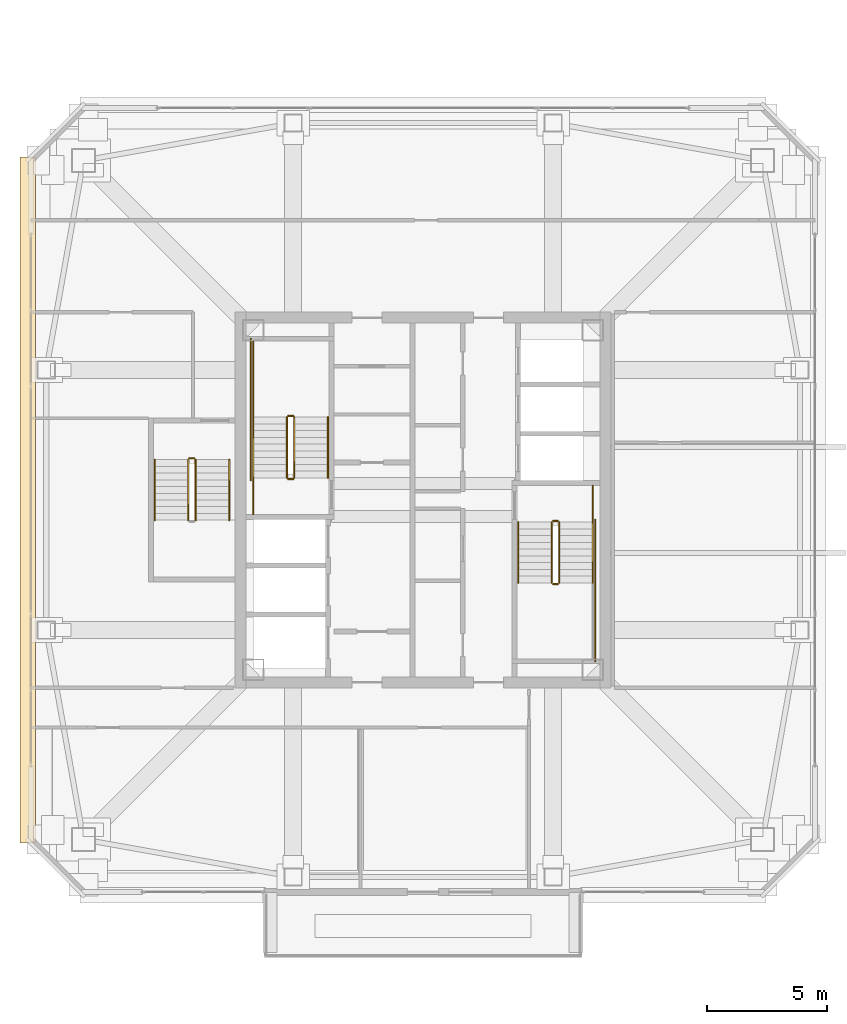
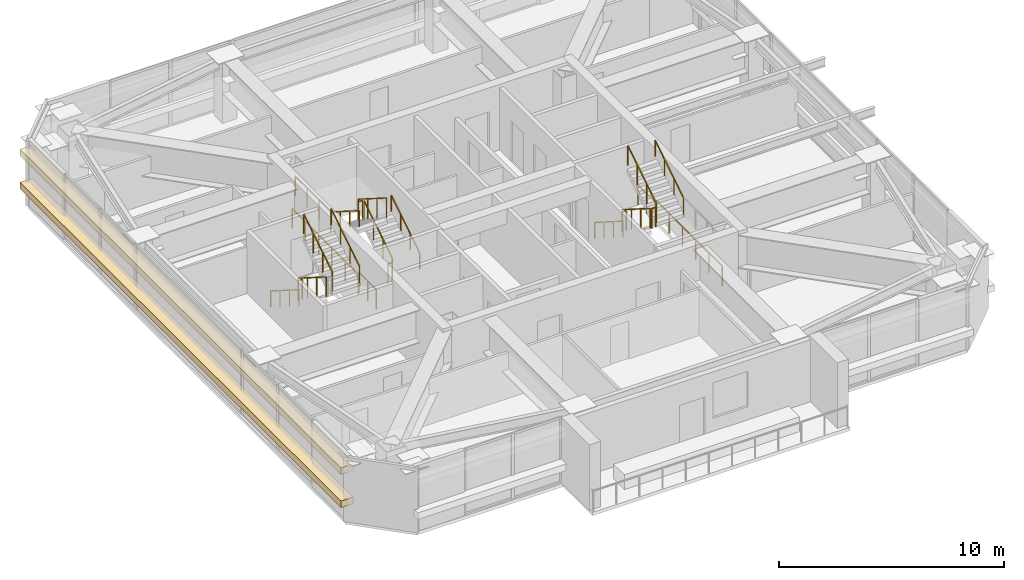
# One storey, part 36 of 40: 22 railings, 2 coverings.
"""IFC4 building model written with IfcOpenShell, lengths in metres."""

from ifc_helpers import new_model, si_unit, direction, frame, origin, origin_2d, place, context, subcontext, project, spatial, rectangle, extrude, material, layer, layer_set, type_object, element, save


model = new_model("IFC4")

# Units and contexts
model_context = context("Model", 3, precision=1e-05, world=origin(), true_north=direction((0.0, 1.0)))
body_context = subcontext(model_context, "Body", "Model", "MODEL_VIEW")
ifc_project = project(units=[si_unit("LENGTHUNIT", "METRE"), si_unit("AREAUNIT", "SQUARE_METRE"), si_unit("VOLUMEUNIT", "CUBIC_METRE"), si_unit("PLANEANGLEUNIT", "RADIAN"), si_unit("MASSUNIT", "GRAM", prefix="KILO")], contexts=[model_context])

# Site, building, storey
site_placement = place(None, origin())
site = spatial("IfcSite", under=ifc_project, at=site_placement, CompositionType="ELEMENT")
building_placement = place(site_placement, origin())
building = spatial("IfcBuilding", under=site, at=building_placement, Name="Tashvorn Skyway Center", CompositionType="ELEMENT")
storey_placement = place(building_placement, frame((0.0, 0.0, 229.050048828125)))
storey = spatial("IfcBuildingStorey", under=building, at=storey_placement, Name="L62", CompositionType="ELEMENT", Elevation=229.050048828125)

# Coverings
ifc_material_1 = material(Name="Perforated ceramic-coated bronze aluminium solar screen", Category="aluminium")
ifc_layer = layer(ifc_material_1, 0.85009765625)
ifc_layer_set = layer_set([ifc_layer], Name="Perforated ceramic-coated bronze aluminium solar screen")
covering_type = type_object("IfcCoveringType", Name="COV-SOLAR-BAND", PredefinedType="CLADDING", material=ifc_layer_set)
for number, where, z_axis, x_axis, name in (
    (1, (25.580078125, 32.0, 0.919921875), (0.0, 0.0, 1.0), (0.0, 1.0, 0.0), "L62 Perforated Ceramic-Metal Solar Screen Louvre Band West 1"),
    (2, (25.580078125, 32.0, 2.7197265625), (0.0, 0.0, 1.0), (0.0, 1.0, 0.0), "L62 Perforated Ceramic-Metal Solar Screen Louvre Band West 2"),
):
    element("IfcCovering", number, at=place(storey_placement, frame(where, z_axis=z_axis, x_axis=x_axis)), inside=storey, type_object=covering_type, Name=name, PredefinedType="CLADDING", context=body_context, shape_type="SweptSolid", body=[
        extrude(rectangle(XDim=28.47998046875, YDim=0.639892578125, at=origin_2d()), origin(), (0.0, 0.0, 1.0), 0.360107421875),
    ])

# Railings
ifc_material_2 = material(Name="Brushed stainless steel 316", Category="steel")
railing_type_1 = type_object("IfcRailingType", Name="RAIL-HAND-920", PredefinedType="HANDRAIL", material=ifc_material_2)
railing_1_placement = place(storey_placement, frame((38.050048828125, 32.919921875, 0.177490234375)))
element("IfcRailing", 3, at=railing_1_placement, inside=storey, type_object=railing_type_1, Name="L62 ST-T1-1 stair handrail 1", PredefinedType="HANDRAIL", context=body_context, shape_type="SweptSolid", body=[
    extrude(rectangle(XDim=0.048095703125, YDim=0.048095703125, at=origin_2d()), frame((0.0, 0.0, 0.8759765625), z_axis=(0.0, 0.84460694969, 0.535386869969), x_axis=(-1.0, 0.0, 0.0)), (0.0, 0.0, 1.0), 2.983642578125),
    extrude(rectangle(XDim=0.0419921875, YDim=0.0419921875, at=origin_2d()), origin(), (0.0, 0.0, 1.0), 0.851806640625),
    extrude(rectangle(XDim=0.0419921875, YDim=0.0419921875, at=origin_2d()), frame((0.0, 0.840087890625, 0.532470703125)), (0.0, 0.0, 1.0), 0.851806640625),
    extrude(rectangle(XDim=0.0419921875, YDim=0.0419921875, at=origin_2d()), frame((0.0, 1.679931640625, 1.06494140625)), (0.0, 0.0, 1.0), 0.851806640625),
    extrude(rectangle(XDim=0.0419921875, YDim=0.0419921875, at=origin_2d()), frame((0.0, 2.52001953125, 1.597412109375)), (0.0, 0.0, 1.0), 0.851806640625),
])
railing_2_placement = place(storey_placement, frame((34.949951171875, 35.43994140625, 1.952392578125)))
element("IfcRailing", 4, at=railing_2_placement, inside=storey, type_object=railing_type_1, Name="L62 ST-T1-1 stair handrail 2", PredefinedType="HANDRAIL", context=body_context, shape_type="SweptSolid", body=[
    extrude(rectangle(XDim=0.048095703125, YDim=0.048095703125, at=origin_2d()), frame((0.0, 0.0, 0.8759765625), z_axis=(0.0, -0.84456994832, 0.535445237532), x_axis=(1.0, 0.0, 0.0)), (0.0, 0.0, 1.0), 2.98388671875),
    extrude(rectangle(XDim=0.0419921875, YDim=0.0419921875, at=origin_2d()), origin(), (0.0, 0.0, 1.0), 0.851806640625),
    extrude(rectangle(XDim=0.0419921875, YDim=0.0419921875, at=origin_2d()), frame((0.0, -0.840087890625, 0.532470703125)), (0.0, 0.0, 1.0), 0.851806640625),
    extrude(rectangle(XDim=0.0419921875, YDim=0.0419921875, at=origin_2d()), frame((0.0, -1.679931640625, 1.065185546875)), (0.0, 0.0, 1.0), 0.851806640625),
    extrude(rectangle(XDim=0.0419921875, YDim=0.0419921875, at=origin_2d()), frame((0.0, -2.52001953125, 1.59765625)), (0.0, 0.0, 1.0), 0.851806640625),
])
railing_3_placement = place(storey_placement, frame((45.949951171875, 31.080078125, 0.177490234375)))
element("IfcRailing", 5, at=railing_3_placement, inside=storey, type_object=railing_type_1, Name="L62 ST-T1-2 stair handrail 1", PredefinedType="HANDRAIL", context=body_context, shape_type="SweptSolid", body=[
    extrude(rectangle(XDim=0.048095703125, YDim=0.048095703125, at=origin_2d()), frame((0.0, 0.0, 0.8759765625), z_axis=(0.0, -0.84460694969, 0.535386869969), x_axis=(1.0, 0.0, 0.0)), (0.0, 0.0, 1.0), 2.983642578125),
    extrude(rectangle(XDim=0.0419921875, YDim=0.0419921875, at=origin_2d()), origin(), (0.0, 0.0, 1.0), 0.851806640625),
    extrude(rectangle(XDim=0.0419921875, YDim=0.0419921875, at=origin_2d()), frame((0.0, -0.840087890625, 0.532470703125)), (0.0, 0.0, 1.0), 0.851806640625),
    extrude(rectangle(XDim=0.0419921875, YDim=0.0419921875, at=origin_2d()), frame((0.0, -1.679931640625, 1.06494140625)), (0.0, 0.0, 1.0), 0.851806640625),
    extrude(rectangle(XDim=0.0419921875, YDim=0.0419921875, at=origin_2d()), frame((0.0, -2.52001953125, 1.597412109375)), (0.0, 0.0, 1.0), 0.851806640625),
])
railing_4_placement = place(storey_placement, frame((49.050048828125, 28.56005859375, 1.952392578125)))
element("IfcRailing", 6, at=railing_4_placement, inside=storey, type_object=railing_type_1, Name="L62 ST-T1-2 stair handrail 2", PredefinedType="HANDRAIL", context=body_context, shape_type="SweptSolid", body=[
    extrude(rectangle(XDim=0.048095703125, YDim=0.048095703125, at=origin_2d()), frame((0.0, 0.0, 0.8759765625), z_axis=(0.0, 0.84456994832, 0.535445237532), x_axis=(-1.0, 0.0, 0.0)), (0.0, 0.0, 1.0), 2.98388671875),
    extrude(rectangle(XDim=0.0419921875, YDim=0.0419921875, at=origin_2d()), origin(), (0.0, 0.0, 1.0), 0.851806640625),
    extrude(rectangle(XDim=0.0419921875, YDim=0.0419921875, at=origin_2d()), frame((0.0, 0.840087890625, 0.532470703125)), (0.0, 0.0, 1.0), 0.851806640625),
    extrude(rectangle(XDim=0.0419921875, YDim=0.0419921875, at=origin_2d()), frame((0.0, 1.679931640625, 1.065185546875)), (0.0, 0.0, 1.0), 0.851806640625),
    extrude(rectangle(XDim=0.0419921875, YDim=0.0419921875, at=origin_2d()), frame((0.0, 2.52001953125, 1.59765625)), (0.0, 0.0, 1.0), 0.851806640625),
])
railing_5_placement = place(storey_placement, frame((30.85009765625, 33.679931640625, 0.177490234375)))
element("IfcRailing", 7, at=railing_5_placement, inside=storey, type_object=railing_type_1, Name="L62 ST-T1-3 stair handrail 1", PredefinedType="HANDRAIL", context=body_context, shape_type="SweptSolid", body=[
    extrude(rectangle(XDim=0.048095703125, YDim=0.048095703125, at=origin_2d()), frame((0.0, 0.0, 0.8759765625), z_axis=(0.0, -0.84460694969, 0.535386869969), x_axis=(1.0, 0.0, 0.0)), (0.0, 0.0, 1.0), 2.983642578125),
    extrude(rectangle(XDim=0.0419921875, YDim=0.0419921875, at=origin_2d()), origin(), (0.0, 0.0, 1.0), 0.851806640625),
    extrude(rectangle(XDim=0.0419921875, YDim=0.0419921875, at=origin_2d()), frame((0.0, -0.840087890625, 0.532470703125)), (0.0, 0.0, 1.0), 0.851806640625),
    extrude(rectangle(XDim=0.0419921875, YDim=0.0419921875, at=origin_2d()), frame((0.0, -1.679931640625, 1.06494140625)), (0.0, 0.0, 1.0), 0.851806640625),
    extrude(rectangle(XDim=0.0419921875, YDim=0.0419921875, at=origin_2d()), frame((0.0, -2.52001953125, 1.597412109375)), (0.0, 0.0, 1.0), 0.851806640625),
])
railing_6_placement = place(storey_placement, frame((33.949951171875, 31.159912109375, 1.952392578125)))
element("IfcRailing", 8, at=railing_6_placement, inside=storey, type_object=railing_type_1, Name="L62 ST-T1-3 stair handrail 2", PredefinedType="HANDRAIL", context=body_context, shape_type="SweptSolid", body=[
    extrude(rectangle(XDim=0.048095703125, YDim=0.048095703125, at=origin_2d()), frame((0.0, 0.0, 0.8759765625), z_axis=(0.0, 0.84456994832, 0.535445237532), x_axis=(-1.0, 0.0, 0.0)), (0.0, 0.0, 1.0), 2.98388671875),
    extrude(rectangle(XDim=0.0419921875, YDim=0.0419921875, at=origin_2d()), origin(), (0.0, 0.0, 1.0), 0.851806640625),
    extrude(rectangle(XDim=0.0419921875, YDim=0.0419921875, at=origin_2d()), frame((0.0, 0.840087890625, 0.532470703125)), (0.0, 0.0, 1.0), 0.851806640625),
    extrude(rectangle(XDim=0.0419921875, YDim=0.0419921875, at=origin_2d()), frame((0.0, 1.679931640625, 1.065185546875)), (0.0, 0.0, 1.0), 0.851806640625),
    extrude(rectangle(XDim=0.0419921875, YDim=0.0419921875, at=origin_2d()), frame((0.0, 2.52001953125, 1.59765625)), (0.0, 0.0, 1.0), 0.851806640625),
])
ifc_material_3 = material(Name="Painted galvanized steel S355", Category="steel")
railing_type_2 = type_object("IfcRailingType", Name="RAIL-STGUARD-1100", PredefinedType="GUARDRAIL", material=ifc_material_3)
railing_7_placement = place(storey_placement, frame((36.64990234375, 32.919921875, 0.177490234375)))
element("IfcRailing", 9, at=railing_7_placement, inside=storey, type_object=railing_type_2, Name="L62 ST-T1-1 stair guard 1", PredefinedType="GUARDRAIL", context=body_context, shape_type="SweptSolid", body=[
    extrude(rectangle(XDim=0.048095703125, YDim=0.048095703125, at=origin_2d()), frame((0.0, 0.0, 1.076171875), z_axis=(0.0, 0.84460694969, 0.535386869969), x_axis=(-1.0, 0.0, 0.0)), (0.0, 0.0, 1.0), 2.983642578125),
    extrude(rectangle(XDim=0.0419921875, YDim=0.0419921875, at=origin_2d()), origin(), (0.0, 0.0, 1.0), 1.052001953125),
    extrude(rectangle(XDim=0.0419921875, YDim=0.0419921875, at=origin_2d()), frame((0.0, 0.840087890625, 0.532470703125)), (0.0, 0.0, 1.0), 1.052001953125),
    extrude(rectangle(XDim=0.0419921875, YDim=0.0419921875, at=origin_2d()), frame((0.0, 1.679931640625, 1.06494140625)), (0.0, 0.0, 1.0), 1.052001953125),
    extrude(rectangle(XDim=0.0419921875, YDim=0.0419921875, at=origin_2d()), frame((0.0, 2.52001953125, 1.597412109375)), (0.0, 0.0, 1.0), 1.052001953125),
])
railing_8_placement = place(storey_placement, frame((36.60009765625, 35.489990234375, 1.77490234375)))
element("IfcRailing", 10, at=railing_8_placement, inside=storey, type_object=railing_type_2, Name="L62 ST-T1-1 stair guard 2", PredefinedType="GUARDRAIL", context=body_context, shape_type="SweptSolid", body=[
    extrude(rectangle(XDim=0.048095703125, YDim=0.048095703125, at=origin_2d()), frame((0.0, 0.0, 1.076171875), z_axis=(-1.0, 0.0, 0.0), x_axis=(0.0, -1.0, 0.0)), (0.0, 0.0, 1.0), 0.2001953125),
    extrude(rectangle(XDim=0.0419921875, YDim=0.0419921875, at=origin_2d()), origin(), (0.0, 0.0, 1.0), 1.052001953125),
    extrude(rectangle(XDim=0.0419921875, YDim=0.0419921875, at=origin_2d()), frame((-0.2001953125, 0.0, 0.0)), (0.0, 0.0, 1.0), 1.052001953125),
])
railing_9_placement = place(storey_placement, frame((34.949951171875, 35.43994140625, 1.77490234375)))
element("IfcRailing", 11, at=railing_9_placement, inside=storey, type_object=railing_type_2, Name="L62 ST-T1-1 stair guard 3", PredefinedType="GUARDRAIL", context=body_context, shape_type="SweptSolid", body=[
    extrude(rectangle(XDim=0.048095703125, YDim=0.048095703125, at=origin_2d()), frame((0.0, 0.0, 1.076171875), z_axis=(0.0, 1.0, 0.0), x_axis=(-1.0, 0.0, 0.0)), (0.0, 0.0, 1.0), 3.16015625),
    extrude(rectangle(XDim=0.0419921875, YDim=0.0419921875, at=origin_2d()), origin(), (0.0, 0.0, 1.0), 1.052001953125),
    extrude(rectangle(XDim=0.0419921875, YDim=0.0419921875, at=origin_2d()), frame((0.0, 1.053466796875, 0.0)), (0.0, 0.0, 1.0), 1.052001953125),
    extrude(rectangle(XDim=0.0419921875, YDim=0.0419921875, at=origin_2d()), frame((0.0, 2.106689453125, 0.0)), (0.0, 0.0, 1.0), 1.052001953125),
    extrude(rectangle(XDim=0.0419921875, YDim=0.0419921875, at=origin_2d()), frame((0.0, 3.16015625, 0.0)), (0.0, 0.0, 1.0), 1.052001953125),
])
railing_10_placement = place(storey_placement, frame((36.35009765625, 35.43994140625, 1.952392578125)))
element("IfcRailing", 12, at=railing_10_placement, inside=storey, type_object=railing_type_2, Name="L62 ST-T1-1 stair guard 4", PredefinedType="GUARDRAIL", context=body_context, shape_type="SweptSolid", body=[
    extrude(rectangle(XDim=0.048095703125, YDim=0.048095703125, at=origin_2d()), frame((0.0, 0.0, 1.076171875), z_axis=(0.0, -0.84456994832, 0.535445237532), x_axis=(1.0, 0.0, 0.0)), (0.0, 0.0, 1.0), 2.98388671875),
    extrude(rectangle(XDim=0.0419921875, YDim=0.0419921875, at=origin_2d()), origin(), (0.0, 0.0, 1.0), 1.052001953125),
    extrude(rectangle(XDim=0.0419921875, YDim=0.0419921875, at=origin_2d()), frame((0.0, -0.840087890625, 0.532470703125)), (0.0, 0.0, 1.0), 1.052001953125),
    extrude(rectangle(XDim=0.0419921875, YDim=0.0419921875, at=origin_2d()), frame((0.0, -1.679931640625, 1.065185546875)), (0.0, 0.0, 1.0), 1.052001953125),
    extrude(rectangle(XDim=0.0419921875, YDim=0.0419921875, at=origin_2d()), frame((0.0, -2.52001953125, 1.59765625)), (0.0, 0.0, 1.0), 1.052001953125),
])
railing_11_placement = place(storey_placement, frame((36.60009765625, 32.8701171875, 0.0)))
element("IfcRailing", 13, at=railing_11_placement, inside=storey, type_object=railing_type_2, Name="L62 ST-T1-1 stair guard 5", PredefinedType="GUARDRAIL", context=body_context, shape_type="SweptSolid", body=[
    extrude(rectangle(XDim=0.048095703125, YDim=0.048095703125, at=origin_2d()), frame((0.0, 0.0, 1.076171875), z_axis=(-1.0, 0.0, 0.0), x_axis=(0.0, -1.0, 0.0)), (0.0, 0.0, 1.0), 0.2001953125),
    extrude(rectangle(XDim=0.0419921875, YDim=0.0419921875, at=origin_2d()), origin(), (0.0, 0.0, 1.0), 1.052001953125),
    extrude(rectangle(XDim=0.0419921875, YDim=0.0419921875, at=origin_2d()), frame((-0.2001953125, 0.0, 0.0)), (0.0, 0.0, 1.0), 1.052001953125),
])
railing_12_placement = place(storey_placement, frame((34.949951171875, 31.39990234375, 0.0)))
element("IfcRailing", 14, at=railing_12_placement, inside=storey, type_object=railing_type_2, Name="L62 ST-T1-1 stair guard 6", PredefinedType="GUARDRAIL", context=body_context, shape_type="SweptSolid", body=[
    extrude(rectangle(XDim=0.048095703125, YDim=0.048095703125, at=origin_2d()), frame((0.0, 0.0, 1.076171875), z_axis=(0.0, 1.0, 0.0), x_axis=(-1.0, 0.0, 0.0)), (0.0, 0.0, 1.0), 1.52001953125),
    extrude(rectangle(XDim=0.0419921875, YDim=0.0419921875, at=origin_2d()), origin(), (0.0, 0.0, 1.0), 1.052001953125),
    extrude(rectangle(XDim=0.0419921875, YDim=0.0419921875, at=origin_2d()), frame((0.0, 0.760009765625, 0.0)), (0.0, 0.0, 1.0), 1.052001953125),
    extrude(rectangle(XDim=0.0419921875, YDim=0.0419921875, at=origin_2d()), frame((0.0, 1.52001953125, 0.0)), (0.0, 0.0, 1.0), 1.052001953125),
])
railing_13_placement = place(storey_placement, frame((34.85009765625, 32.820068359375, 0.0)))
element("IfcRailing", 15, at=railing_13_placement, inside=storey, type_object=railing_type_2, Name="L62 ST-T1-1 stair guard 7", PredefinedType="GUARDRAIL", context=body_context, shape_type="SweptSolid", body=[
    extrude(rectangle(XDim=0.048095703125, YDim=0.048095703125, at=origin_2d()), frame((0.0, 0.0, 1.076171875), z_axis=(0.0, 1.0, 0.0), x_axis=(-1.0, 0.0, 0.0)), (0.0, 0.0, 1.0), 5.8798828125),
    extrude(rectangle(XDim=0.0419921875, YDim=0.0419921875, at=origin_2d()), origin(), (0.0, 0.0, 1.0), 1.052001953125),
    extrude(rectangle(XDim=0.0419921875, YDim=0.0419921875, at=origin_2d()), frame((0.0, 1.176025390625, 0.0)), (0.0, 0.0, 1.0), 1.052001953125),
    extrude(rectangle(XDim=0.0419921875, YDim=0.0419921875, at=origin_2d()), frame((0.0, 2.35205078125, 0.0)), (0.0, 0.0, 1.0), 1.052001953125),
    extrude(rectangle(XDim=0.0419921875, YDim=0.0419921875, at=origin_2d()), frame((0.0, 3.52783203125, 0.0)), (0.0, 0.0, 1.0), 1.052001953125),
    extrude(rectangle(XDim=0.0419921875, YDim=0.0419921875, at=origin_2d()), frame((0.0, 4.703857421875, 0.0)), (0.0, 0.0, 1.0), 1.052001953125),
    extrude(rectangle(XDim=0.0419921875, YDim=0.0419921875, at=origin_2d()), frame((0.0, 5.8798828125, 0.0)), (0.0, 0.0, 1.0), 1.052001953125),
])
railing_14_placement = place(storey_placement, frame((47.35009765625, 31.080078125, 0.177490234375)))
element("IfcRailing", 16, at=railing_14_placement, inside=storey, type_object=railing_type_2, Name="L62 ST-T1-2 stair guard 1", PredefinedType="GUARDRAIL", context=body_context, shape_type="SweptSolid", body=[
    extrude(rectangle(XDim=0.048095703125, YDim=0.048095703125, at=origin_2d()), frame((0.0, 0.0, 1.076171875), z_axis=(0.0, -0.84460694969, 0.535386869969), x_axis=(1.0, 0.0, 0.0)), (0.0, 0.0, 1.0), 2.983642578125),
    extrude(rectangle(XDim=0.0419921875, YDim=0.0419921875, at=origin_2d()), origin(), (0.0, 0.0, 1.0), 1.052001953125),
    extrude(rectangle(XDim=0.0419921875, YDim=0.0419921875, at=origin_2d()), frame((0.0, -0.840087890625, 0.532470703125)), (0.0, 0.0, 1.0), 1.052001953125),
    extrude(rectangle(XDim=0.0419921875, YDim=0.0419921875, at=origin_2d()), frame((0.0, -1.679931640625, 1.06494140625)), (0.0, 0.0, 1.0), 1.052001953125),
    extrude(rectangle(XDim=0.0419921875, YDim=0.0419921875, at=origin_2d()), frame((0.0, -2.52001953125, 1.597412109375)), (0.0, 0.0, 1.0), 1.052001953125),
])
railing_15_placement = place(storey_placement, frame((47.39990234375, 28.510009765625, 1.77490234375)))
element("IfcRailing", 17, at=railing_15_placement, inside=storey, type_object=railing_type_2, Name="L62 ST-T1-2 stair guard 2", PredefinedType="GUARDRAIL", context=body_context, shape_type="SweptSolid", body=[
    extrude(rectangle(XDim=0.048095703125, YDim=0.048095703125, at=origin_2d()), frame((0.0, 0.0, 1.076171875), z_axis=(1.0, 0.0, 0.0), x_axis=(0.0, 1.0, 0.0)), (0.0, 0.0, 1.0), 0.2001953125),
    extrude(rectangle(XDim=0.0419921875, YDim=0.0419921875, at=origin_2d()), origin(), (0.0, 0.0, 1.0), 1.052001953125),
    extrude(rectangle(XDim=0.0419921875, YDim=0.0419921875, at=origin_2d()), frame((0.2001953125, 0.0, 0.0)), (0.0, 0.0, 1.0), 1.052001953125),
])
railing_16_placement = place(storey_placement, frame((47.64990234375, 28.56005859375, 1.952392578125)))
element("IfcRailing", 18, at=railing_16_placement, inside=storey, type_object=railing_type_2, Name="L62 ST-T1-2 stair guard 4", PredefinedType="GUARDRAIL", context=body_context, shape_type="SweptSolid", body=[
    extrude(rectangle(XDim=0.048095703125, YDim=0.048095703125, at=origin_2d()), frame((0.0, 0.0, 1.076171875), z_axis=(0.0, 0.84456994832, 0.535445237532), x_axis=(-1.0, 0.0, 0.0)), (0.0, 0.0, 1.0), 2.98388671875),
    extrude(rectangle(XDim=0.0419921875, YDim=0.0419921875, at=origin_2d()), origin(), (0.0, 0.0, 1.0), 1.052001953125),
    extrude(rectangle(XDim=0.0419921875, YDim=0.0419921875, at=origin_2d()), frame((0.0, 0.840087890625, 0.532470703125)), (0.0, 0.0, 1.0), 1.052001953125),
    extrude(rectangle(XDim=0.0419921875, YDim=0.0419921875, at=origin_2d()), frame((0.0, 1.679931640625, 1.065185546875)), (0.0, 0.0, 1.0), 1.052001953125),
    extrude(rectangle(XDim=0.0419921875, YDim=0.0419921875, at=origin_2d()), frame((0.0, 2.52001953125, 1.59765625)), (0.0, 0.0, 1.0), 1.052001953125),
])
railing_17_placement = place(storey_placement, frame((47.39990234375, 31.1298828125, 0.0)))
element("IfcRailing", 19, at=railing_17_placement, inside=storey, type_object=railing_type_2, Name="L62 ST-T1-2 stair guard 5", PredefinedType="GUARDRAIL", context=body_context, shape_type="SweptSolid", body=[
    extrude(rectangle(XDim=0.048095703125, YDim=0.048095703125, at=origin_2d()), frame((0.0, 0.0, 1.076171875), z_axis=(1.0, 0.0, 0.0), x_axis=(0.0, 1.0, 0.0)), (0.0, 0.0, 1.0), 0.2001953125),
    extrude(rectangle(XDim=0.0419921875, YDim=0.0419921875, at=origin_2d()), origin(), (0.0, 0.0, 1.0), 1.052001953125),
    extrude(rectangle(XDim=0.0419921875, YDim=0.0419921875, at=origin_2d()), frame((0.2001953125, 0.0, 0.0)), (0.0, 0.0, 1.0), 1.052001953125),
])
railing_18_placement = place(storey_placement, frame((49.050048828125, 32.60009765625, 0.0)))
element("IfcRailing", 20, at=railing_18_placement, inside=storey, type_object=railing_type_2, Name="L62 ST-T1-2 stair guard 6", PredefinedType="GUARDRAIL", context=body_context, shape_type="SweptSolid", body=[
    extrude(rectangle(XDim=0.048095703125, YDim=0.048095703125, at=origin_2d()), frame((0.0, 0.0, 1.076171875), z_axis=(0.0, -1.0, 0.0), x_axis=(1.0, 0.0, 0.0)), (0.0, 0.0, 1.0), 1.52001953125),
    extrude(rectangle(XDim=0.0419921875, YDim=0.0419921875, at=origin_2d()), origin(), (0.0, 0.0, 1.0), 1.052001953125),
    extrude(rectangle(XDim=0.0419921875, YDim=0.0419921875, at=origin_2d()), frame((0.0, -0.760009765625, 0.0)), (0.0, 0.0, 1.0), 1.052001953125),
    extrude(rectangle(XDim=0.0419921875, YDim=0.0419921875, at=origin_2d()), frame((0.0, -1.52001953125, 0.0)), (0.0, 0.0, 1.0), 1.052001953125),
])
railing_19_placement = place(storey_placement, frame((49.14990234375, 31.179931640625, 0.0)))
element("IfcRailing", 21, at=railing_19_placement, inside=storey, type_object=railing_type_2, Name="L62 ST-T1-2 stair guard 7", PredefinedType="GUARDRAIL", context=body_context, shape_type="SweptSolid", body=[
    extrude(rectangle(XDim=0.048095703125, YDim=0.048095703125, at=origin_2d()), frame((0.0, 0.0, 1.076171875), z_axis=(0.0, -1.0, 0.0), x_axis=(1.0, 0.0, 0.0)), (0.0, 0.0, 1.0), 5.8798828125),
    extrude(rectangle(XDim=0.0419921875, YDim=0.0419921875, at=origin_2d()), origin(), (0.0, 0.0, 1.0), 1.052001953125),
    extrude(rectangle(XDim=0.0419921875, YDim=0.0419921875, at=origin_2d()), frame((0.0, -1.176025390625, 0.0)), (0.0, 0.0, 1.0), 1.052001953125),
    extrude(rectangle(XDim=0.0419921875, YDim=0.0419921875, at=origin_2d()), frame((0.0, -2.35205078125, 0.0)), (0.0, 0.0, 1.0), 1.052001953125),
    extrude(rectangle(XDim=0.0419921875, YDim=0.0419921875, at=origin_2d()), frame((0.0, -3.52783203125, 0.0)), (0.0, 0.0, 1.0), 1.052001953125),
    extrude(rectangle(XDim=0.0419921875, YDim=0.0419921875, at=origin_2d()), frame((0.0, -4.703857421875, 0.0)), (0.0, 0.0, 1.0), 1.052001953125),
    extrude(rectangle(XDim=0.0419921875, YDim=0.0419921875, at=origin_2d()), frame((0.0, -5.8798828125, 0.0)), (0.0, 0.0, 1.0), 1.052001953125),
])
railing_20_placement = place(storey_placement, frame((32.25, 33.679931640625, 0.177490234375)))
element("IfcRailing", 22, at=railing_20_placement, inside=storey, type_object=railing_type_2, Name="L62 ST-T1-3 stair guard 1", PredefinedType="GUARDRAIL", context=body_context, shape_type="SweptSolid", body=[
    extrude(rectangle(XDim=0.048095703125, YDim=0.048095703125, at=origin_2d()), frame((0.0, 0.0, 1.076171875), z_axis=(0.0, -0.84460694969, 0.535386869969), x_axis=(1.0, 0.0, 0.0)), (0.0, 0.0, 1.0), 2.983642578125),
    extrude(rectangle(XDim=0.0419921875, YDim=0.0419921875, at=origin_2d()), origin(), (0.0, 0.0, 1.0), 1.052001953125),
    extrude(rectangle(XDim=0.0419921875, YDim=0.0419921875, at=origin_2d()), frame((0.0, -0.840087890625, 0.532470703125)), (0.0, 0.0, 1.0), 1.052001953125),
    extrude(rectangle(XDim=0.0419921875, YDim=0.0419921875, at=origin_2d()), frame((0.0, -1.679931640625, 1.06494140625)), (0.0, 0.0, 1.0), 1.052001953125),
    extrude(rectangle(XDim=0.0419921875, YDim=0.0419921875, at=origin_2d()), frame((0.0, -2.52001953125, 1.597412109375)), (0.0, 0.0, 1.0), 1.052001953125),
])
railing_21_placement = place(storey_placement, frame((32.550048828125, 31.159912109375, 1.952392578125)))
element("IfcRailing", 23, at=railing_21_placement, inside=storey, type_object=railing_type_2, Name="L62 ST-T1-3 stair guard 3", PredefinedType="GUARDRAIL", context=body_context, shape_type="SweptSolid", body=[
    extrude(rectangle(XDim=0.048095703125, YDim=0.048095703125, at=origin_2d()), frame((0.0, 0.0, 1.076171875), z_axis=(0.0, 0.84456994832, 0.535445237532), x_axis=(-1.0, 0.0, 0.0)), (0.0, 0.0, 1.0), 2.98388671875),
    extrude(rectangle(XDim=0.0419921875, YDim=0.0419921875, at=origin_2d()), origin(), (0.0, 0.0, 1.0), 1.052001953125),
    extrude(rectangle(XDim=0.0419921875, YDim=0.0419921875, at=origin_2d()), frame((0.0, 0.840087890625, 0.532470703125)), (0.0, 0.0, 1.0), 1.052001953125),
    extrude(rectangle(XDim=0.0419921875, YDim=0.0419921875, at=origin_2d()), frame((0.0, 1.679931640625, 1.065185546875)), (0.0, 0.0, 1.0), 1.052001953125),
    extrude(rectangle(XDim=0.0419921875, YDim=0.0419921875, at=origin_2d()), frame((0.0, 2.52001953125, 1.59765625)), (0.0, 0.0, 1.0), 1.052001953125),
])
railing_22_placement = place(storey_placement, frame((32.300048828125, 33.72998046875, 0.0)))
element("IfcRailing", 24, at=railing_22_placement, inside=storey, type_object=railing_type_2, Name="L62 ST-T1-3 stair guard 4", PredefinedType="GUARDRAIL", context=body_context, shape_type="SweptSolid", body=[
    extrude(rectangle(XDim=0.048095703125, YDim=0.048095703125, at=origin_2d()), frame((0.0, 0.0, 1.076171875), z_axis=(1.0, 0.0, 0.0), x_axis=(0.0, 1.0, 0.0)), (0.0, 0.0, 1.0), 0.199951171875),
    extrude(rectangle(XDim=0.0419921875, YDim=0.0419921875, at=origin_2d()), origin(), (0.0, 0.0, 1.0), 1.052001953125),
    extrude(rectangle(XDim=0.0419921875, YDim=0.0419921875, at=origin_2d()), frame((0.199951171875, 0.0, 0.0)), (0.0, 0.0, 1.0), 1.052001953125),
])

save(model, "model.ifc")
